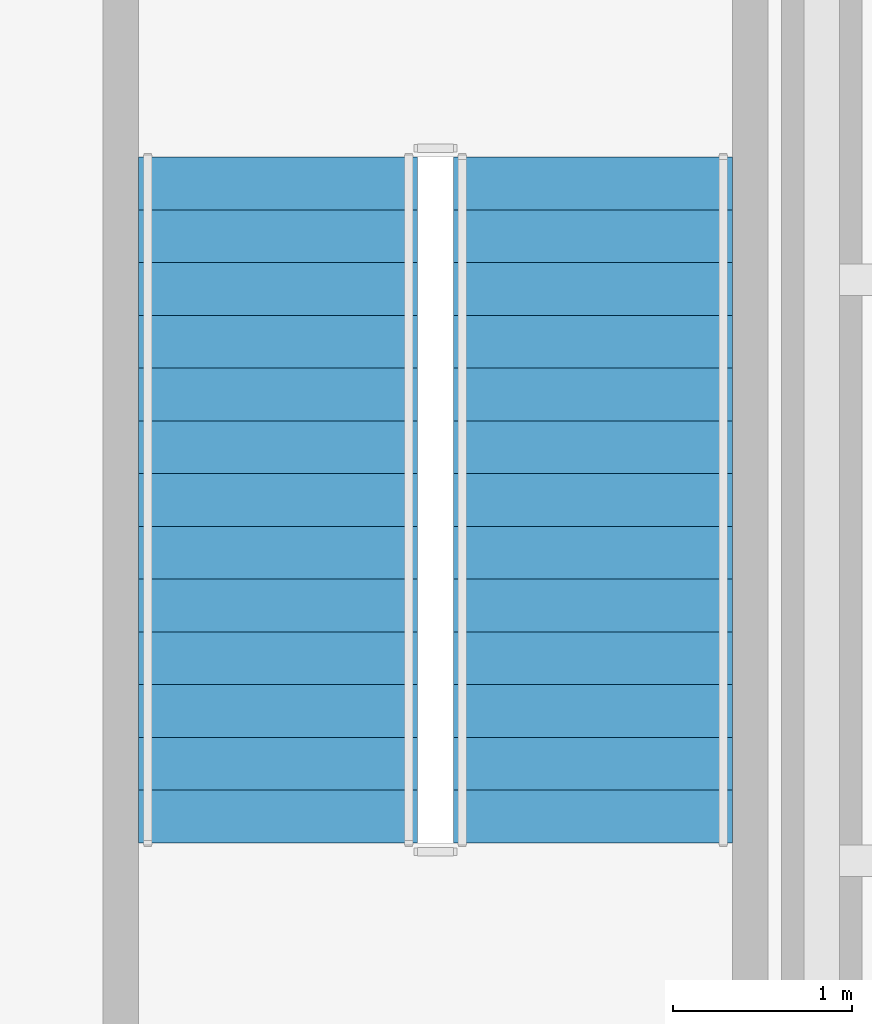
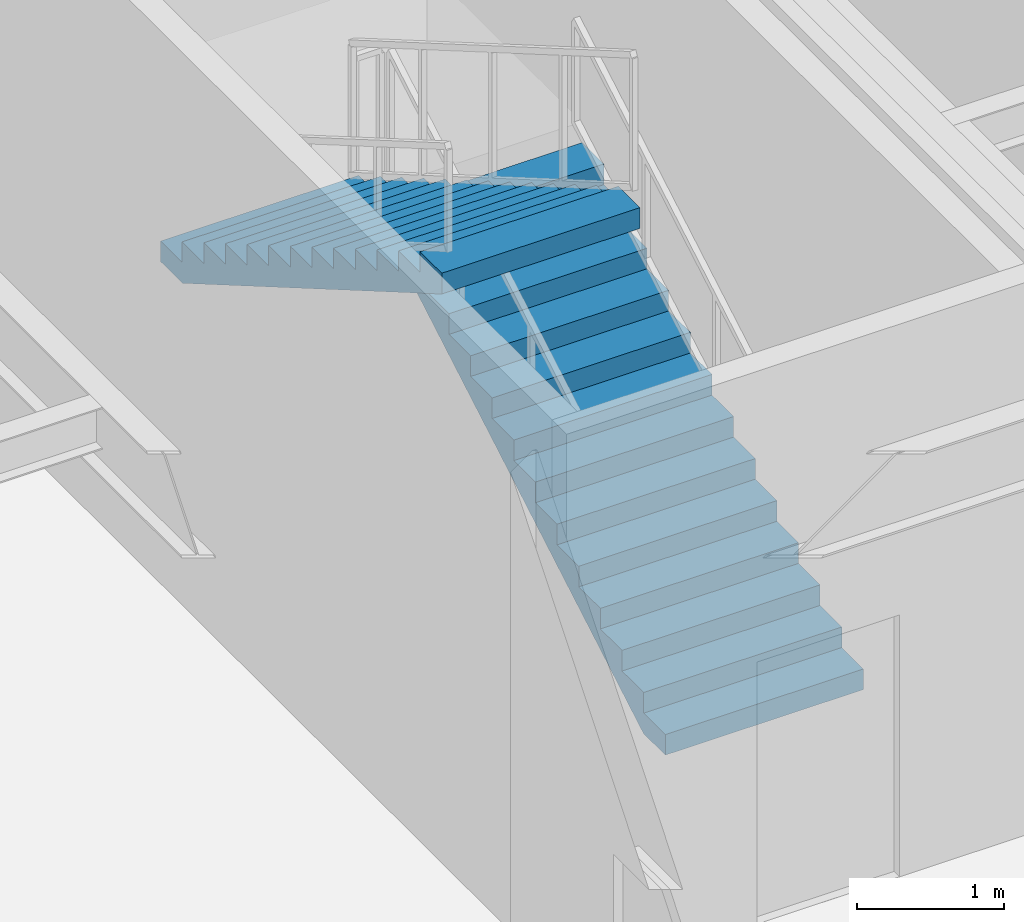
# One storey, part 5 of 6: 2 stair flights, 1 element without a shape of its own.
"""IFC4 building model written with IfcOpenShell, lengths in metres."""

import ifcopenshell
import ifcopenshell.guid

model = None  # the IFC model being written
_history = None  # IfcOwnerHistory: only IFC2X3 demands one
_inside = {}  # id of a spatial element -> (the spatial element, [elements in it])
_under = {}  # id of a project, library or spatial element -> (it, [spatial elements below it])
_declared = {}  # id of a project -> (the project, [libraries it declares])
_typed = {}  # id of a type object -> (the type object, [elements of that type])
_made_of = {}  # id of a material, layer set ... -> (it, [elements and type objects made of it])


def new_model(schema):
    """Start an empty IFC model of exactly this schema.

    Asked for "IFC4X3", IfcOpenShell would pick the latest addendum, in which some entities
    have other attributes; the version numbers below select the first issue.
    IFC2X3 requires an IfcOwnerHistory on every rooted entity: one is made here for all.
    """
    global model, _history
    if schema == "IFC4X3":
        model = ifcopenshell.file(schema_version=(4, 3, 0, 0))
    else:
        model = ifcopenshell.file(schema=schema)
    _inside.clear()
    _under.clear()
    _declared.clear()
    _typed.clear()
    _made_of.clear()
    _history = None
    if model.schema == "IFC2X3":
        org = make("IfcOrganization", Name="unknown")
        user = make(
            "IfcPersonAndOrganization",
            ThePerson=make("IfcPerson", FamilyName="unknown"),
            TheOrganization=org,
        )
        app = make(
            "IfcApplication",
            ApplicationDeveloper=org,
            Version="unknown",
            ApplicationFullName="unknown",
            ApplicationIdentifier="unknown",
        )
        _history = make(
            "IfcOwnerHistory",
            OwningUser=user,
            OwningApplication=app,
            ChangeAction="ADDED",
            CreationDate=0,
        )
    return model


def make(cls, **values):
    """One entity of the class cls with the attributes given. An attribute that is None is left unset."""
    return model.create_entity(
        cls, **{name: value for name, value in values.items() if value is not None}
    )


def rooted(cls, **values):
    """An entity with a GlobalId (a new one), such as an element, a storey or a relation."""
    return make(cls, GlobalId=ifcopenshell.guid.new(), OwnerHistory=_history, **values)


def si_unit(unit_type, name, prefix=None):
    """IfcSIUnit, for example si_unit("LENGTHUNIT", "METRE", prefix="MILLI")."""
    return make("IfcSIUnit", UnitType=unit_type, Prefix=prefix, Name=name)


def assignment(units):
    """IfcUnitAssignment: the units of a project."""
    return None if units is None else make("IfcUnitAssignment", Units=units)


def point(xyz):
    """IfcCartesianPoint."""
    return None if xyz is None else make("IfcCartesianPoint", Coordinates=xyz)


def direction(xyz):
    """IfcDirection."""
    return None if xyz is None else make("IfcDirection", DirectionRatios=xyz)


def frame(location, z_axis=None, x_axis=None):
    """IfcAxis2Placement3D, a coordinate frame: its origin and axes. An axis left out is left unset."""
    return make(
        "IfcAxis2Placement3D",
        Location=point(location),
        Axis=direction(z_axis),
        RefDirection=direction(x_axis),
    )


def origin():
    """The frame at (0, 0, 0) with its axes left unset."""
    return frame((0.0, 0.0, 0.0))


def place(relative_to, where):
    """IfcLocalPlacement: puts the frame where relative to a parent placement (None: the world)."""
    return make(
        "IfcLocalPlacement", PlacementRelTo=relative_to, RelativePlacement=where
    )


def context(
    kind, dimensions, precision=None, world=None, true_north=None, identifier=None
):
    """IfcGeometricRepresentationContext, for example the 3D "Model" context."""
    return make(
        "IfcGeometricRepresentationContext",
        ContextIdentifier=identifier,
        ContextType=kind,
        CoordinateSpaceDimension=dimensions,
        Precision=precision,
        WorldCoordinateSystem=world,
        TrueNorth=true_north,
    )


def subcontext(parent, identifier, kind, view, scale=None):
    """IfcGeometricRepresentationSubContext, for example "Body" below "Model"."""
    return make(
        "IfcGeometricRepresentationSubContext",
        ContextIdentifier=identifier,
        ContextType=kind,
        ParentContext=parent,
        TargetScale=scale,
        TargetView=view,
    )


def project(units=None, contexts=None):
    """IfcProject with its units and contexts."""
    return rooted(
        "IfcProject",
        Name="project",
        RepresentationContexts=contexts,
        UnitsInContext=assignment(units),
    )


def spatial(cls, under=None, at=None, **own):
    """A site, building, storey or space (cls), placed at a placement, below another one or the project."""
    s = rooted(cls, ObjectPlacement=at, **own)
    if under is not None:
        _under.setdefault(under.id(), (under, []))[1].append(s)
    return s


def polyline(points):
    """IfcPolyline through the points."""
    return make("IfcPolyline", Points=[point(p) for p in points])


def outline(outer, holes=None, kind="AREA"):
    """IfcArbitraryClosedProfileDef: a profile drawn as a closed curve; with holes, ...WithVoids."""
    if holes is None:
        return make("IfcArbitraryClosedProfileDef", ProfileType=kind, OuterCurve=outer)
    return make(
        "IfcArbitraryProfileDefWithVoids",
        ProfileType=kind,
        OuterCurve=outer,
        InnerCurves=holes,
    )


def extrude(swept, where, along, depth):
    """IfcExtrudedAreaSolid: the profile swept, set in the frame where, extruded along a direction by depth."""
    return make(
        "IfcExtrudedAreaSolid",
        SweptArea=swept,
        Position=where,
        ExtrudedDirection=direction(along),
        Depth=depth,
    )


def shape(context_of_items, identifier, shape_type, items):
    """IfcShapeRepresentation: the items that make up one representation, for example the "Body"."""
    return make(
        "IfcShapeRepresentation",
        ContextOfItems=context_of_items,
        RepresentationIdentifier=identifier,
        RepresentationType=shape_type,
        Items=items,
    )


def material(Name=None, Category=None):
    """IfcMaterial."""
    return make("IfcMaterial", Name=Name, Category=Category)


def made_of(thing, what):
    """Note that an element or type object is made of a material, layer set ...; save() writes the relation."""
    if what is not None:
        _made_of.setdefault(what.id(), (what, []))[1].append(thing)
    return thing


def type_object(cls, material=None, **own):
    """A type object (cls), such as IfcWallType, which elements share."""
    return made_of(rooted(cls, **own), material)


def element(
    cls,
    number,
    at=None,
    inside=None,
    cuts=None,
    type_object=None,
    material=None,
    context=None,
    identifier="Body",
    shape_type=None,
    held_by="IfcProductDefinitionShape",
    body=None,
    shapes=None,
    **own,
):
    """One element of the class cls, such as IfcWall. Its Tag is "e" and its number.

    at: its placement. inside: the storey or other place that contains it. cuts: it is an
    opening in that element (IfcRelVoidsElement). A single representation is given by context,
    identifier, shape_type and body (its items); several are given by shapes. held_by: the class
    of the entity that holds the representations. save() writes the other relations.
    """
    e = rooted(cls, Tag="e%d" % number, ObjectPlacement=at, **own)
    if body is not None:
        shapes = [shape(context, identifier, shape_type, body)]
    if shapes is not None:
        e.Representation = make(held_by, Representations=shapes)
    if inside is not None:
        _inside.setdefault(inside.id(), (inside, []))[1].append(e)
    if cuts is not None:
        rooted(
            "IfcRelVoidsElement", RelatingBuildingElement=cuts, RelatedOpeningElement=e
        )
    if type_object is not None:
        _typed.setdefault(type_object.id(), (type_object, []))[1].append(e)
    return made_of(e, material)


def aggregate(whole, parts):
    """IfcRelAggregates: a whole, such as a stair, and the parts it consists of."""
    return rooted("IfcRelAggregates", RelatingObject=whole, RelatedObjects=parts)


def save(model, path):
    """Write the relations noted so far, then the file.

    IfcRelAggregates (storeys below a building ...), IfcRelContainedInSpatialStructure (elements
    in a storey), IfcRelDefinesByType, IfcRelAssociatesMaterial and IfcRelDeclares: one each for
    every whole, place, type object, material and project.
    """
    for whole, parts in _under.values():
        aggregate(whole, parts)
    for where, things in _inside.values():
        rooted(
            "IfcRelContainedInSpatialStructure",
            RelatedElements=things,
            RelatingStructure=where,
        )
    for kind, things in _typed.values():
        rooted("IfcRelDefinesByType", RelatedObjects=things, RelatingType=kind)
    for what, things in _made_of.values():
        rooted("IfcRelAssociatesMaterial", RelatedObjects=things, RelatingMaterial=what)
    for by, libraries in _declared.values():
        rooted("IfcRelDeclares", RelatingContext=by, RelatedDefinitions=libraries)
    model.write(path)


model = new_model("IFC4")

# Units and contexts
model_context = context("Model", 3, precision=1e-05, world=origin(), true_north=direction((0.0, 1.0)))
body_context = subcontext(model_context, "Body", "Model", "MODEL_VIEW")
ifc_project = project(units=[si_unit("LENGTHUNIT", "METRE"), si_unit("AREAUNIT", "SQUARE_METRE"), si_unit("VOLUMEUNIT", "CUBIC_METRE"), si_unit("PLANEANGLEUNIT", "RADIAN"), si_unit("MASSUNIT", "GRAM", prefix="KILO")], contexts=[model_context])

# Site, building, storey
site_placement = place(None, origin())
site = spatial("IfcSite", under=ifc_project, at=site_placement, CompositionType="ELEMENT")
building_placement = place(site_placement, origin())
building = spatial("IfcBuilding", under=site, at=building_placement, Name="Brelmoor Portico Tower", CompositionType="ELEMENT")
storey_placement = place(building_placement, frame((0.0, 0.0, 276.0)))
storey = spatial("IfcBuildingStorey", under=building, at=storey_placement, Name="L73", CompositionType="ELEMENT", Elevation=276.0)

# Stair, stair flights
ifc_material = material(Name="Concrete C40", Category="concrete")
stair_type = type_object("IfcStairType", Name="ST-CORE-E", PredefinedType="HALF_TURN_STAIR", material=ifc_material)
stair_placement = place(storey_placement, origin())
stair = element("IfcStair", 1, at=stair_placement, inside=storey, type_object=stair_type, Name="L73 Protected Core Exit Stair ST-E", PredefinedType="HALF_TURN_STAIR")
stair_flight_type = type_object("IfcStairFlightType", Name="SF-CORE-1850", PredefinedType="STRAIGHT", material=ifc_material)
stair_flight_1_placement = place(storey_placement, frame((13.27001953125, 3.35009765625, 0.0), z_axis=(0.0, 0.0, 1.0), x_axis=(0.0, 1.0, 0.0)))
stair_flight_1 = element("IfcStairFlight", 2, at=stair_flight_1_placement, type_object=stair_flight_type, Name="ST-E flight 1", NumberOfRisers=14, NumberOfTreads=13, PredefinedType="STRAIGHT", RiserHeight=0.171428571, TreadLength=0.295, context=body_context, shape_type="SweptSolid", body=[
    extrude(outline(polyline([(0.0, 0.0), (0.0, 0.17138671875), (0.294921875, 0.17138671875), (0.294921875, 0.3427734375), (0.590087890625, 0.3427734375), (0.590087890625, 0.514404296875), (0.885009765625, 0.514404296875), (0.885009765625, 0.685791015625), (1.179931640625, 0.685791015625), (1.179931640625, 0.857177734375), (1.47509765625, 0.857177734375), (1.47509765625, 1.028564453125), (1.77001953125, 1.028564453125), (1.77001953125, 1.199951171875), (2.06494140625, 1.199951171875), (2.06494140625, 1.371337890625), (2.360107421875, 1.371337890625), (2.360107421875, 1.54296875), (2.655029296875, 1.54296875), (2.655029296875, 1.71435546875), (2.949951171875, 1.71435546875), (2.949951171875, 1.8857421875), (3.2451171875, 1.8857421875), (3.2451171875, 2.05712890625), (3.5400390625, 2.05712890625), (3.5400390625, 2.228515625), (3.8349609375, 2.228515625), (3.8349609375, 2.39990234375), (3.8349609375, 2.05517578125), (0.29833984375, 0.0), (0.0, 0.0)])), frame((0.0, 0.780029296875, 0.0), z_axis=(0.0, -1.0, 0.0), x_axis=(1.0, 0.0, 0.0)), (0.0, 0.0, 1.0), 1.56005859375),
])
stair_flight_2_placement = place(storey_placement, frame((11.510009765625, 7.18505859375, 2.39990234375), z_axis=(0.0, 0.0, 1.0), x_axis=(0.0, -1.0, 0.0)))
stair_flight_2 = element("IfcStairFlight", 3, at=stair_flight_2_placement, type_object=stair_flight_type, Name="ST-E flight 2", NumberOfRisers=14, NumberOfTreads=13, PredefinedType="STRAIGHT", RiserHeight=0.171428571, TreadLength=0.295, context=body_context, shape_type="SweptSolid", body=[
    extrude(outline(polyline([(0.0, 0.0), (0.0, 0.17138671875), (0.294921875, 0.17138671875), (0.294921875, 0.3427734375), (0.590087890625, 0.3427734375), (0.590087890625, 0.514404296875), (0.885009765625, 0.514404296875), (0.885009765625, 0.685791015625), (1.179931640625, 0.685791015625), (1.179931640625, 0.857177734375), (1.47509765625, 0.857177734375), (1.47509765625, 1.028564453125), (1.77001953125, 1.028564453125), (1.77001953125, 1.199951171875), (2.06494140625, 1.199951171875), (2.06494140625, 1.371337890625), (2.360107421875, 1.371337890625), (2.360107421875, 1.54296875), (2.655029296875, 1.54296875), (2.655029296875, 1.71435546875), (2.949951171875, 1.71435546875), (2.949951171875, 1.8857421875), (3.2451171875, 1.8857421875), (3.2451171875, 2.05712890625), (3.5400390625, 2.05712890625), (3.5400390625, 2.228515625), (3.8349609375, 2.228515625), (3.8349609375, 2.39990234375), (3.8349609375, 2.05517578125), (0.29833984375, 0.0), (0.0, 0.0)])), frame((0.0, 0.780029296875, 0.0), z_axis=(0.0, -1.0, 0.0), x_axis=(1.0, 0.0, 0.0)), (0.0, 0.0, 1.0), 1.56005859375),
])
aggregate(stair, [stair_flight_1, stair_flight_2])

save(model, "model.ifc")
